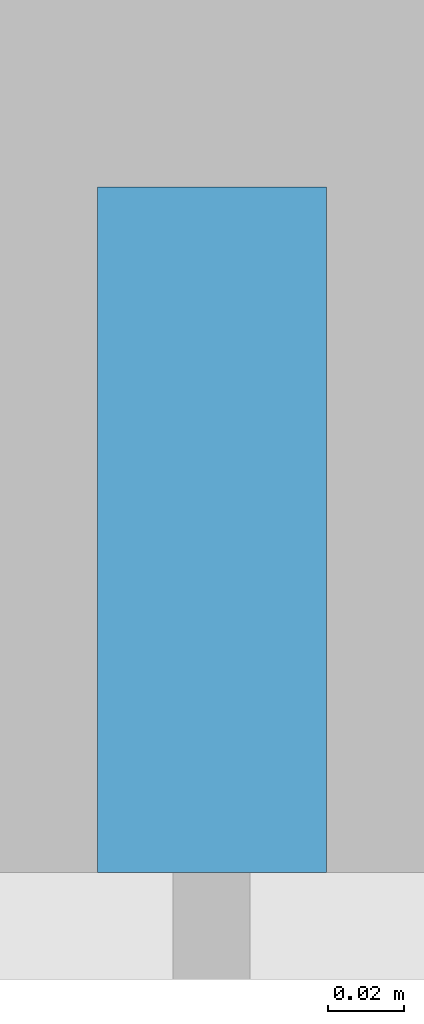
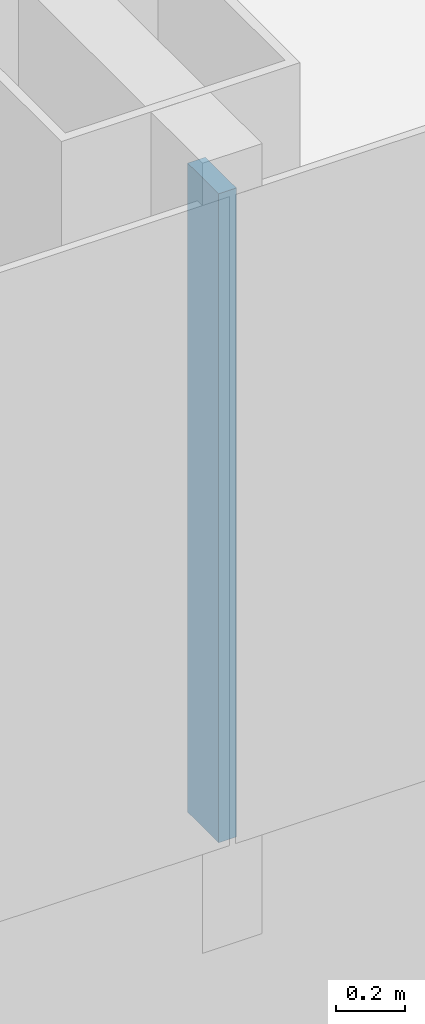
# One storey, part 4 of 29: 1 member, 1 element without a shape of its own.
"""IFC4 building model written with IfcOpenShell, lengths in metres."""

from ifc_helpers import new_model, si_unit, direction, frame, origin, origin_2d, place, context, subcontext, project, spatial, rectangle, extrude, material, layer, layer_set, material_profile, profile_set, type_object, element, aggregate, save


model = new_model("IFC4")

# Units and contexts
model_context = context("Model", 3, precision=1e-05, world=origin(), true_north=direction((0.0, 1.0)))
body_context = subcontext(model_context, "Body", "Model", "MODEL_VIEW")
ifc_project = project(units=[si_unit("LENGTHUNIT", "METRE"), si_unit("AREAUNIT", "SQUARE_METRE"), si_unit("VOLUMEUNIT", "CUBIC_METRE"), si_unit("PLANEANGLEUNIT", "RADIAN"), si_unit("MASSUNIT", "GRAM", prefix="KILO")], contexts=[model_context])

# Site, building, storey
site_placement = place(None, origin())
site = spatial("IfcSite", under=ifc_project, at=site_placement, CompositionType="ELEMENT")
building_placement = place(site_placement, origin())
building = spatial("IfcBuilding", under=site, at=building_placement, Name="Hakoniwa Tower and Hamabe Station Hall", CompositionType="ELEMENT")
storey_placement = place(building_placement, frame((0.0, 0.0, 91.39990234375)))
storey = spatial("IfcBuildingStorey", under=building, at=storey_placement, Name="L25", CompositionType="ELEMENT", Elevation=91.39990234375)

# Curtain wall, member
ifc_material_1 = material(Name="Dark low-e laminated glass", Category="glass")
ifc_layer = layer(ifc_material_1, 0.199951171875)
ifc_layer_set = layer_set([ifc_layer], Name="CW-1 UNITISED GUEST")
curtain_wall_type = type_object("IfcCurtainWallType", Name="CW-1 UNITISED GUEST", PredefinedType="NOTDEFINED", material=ifc_layer_set)
curtain_wall_placement = place(storey_placement, origin())
curtain_wall = element("IfcCurtainWall", 1, at=curtain_wall_placement, inside=storey, type_object=curtain_wall_type, Name="CW-1 curtain wall", PredefinedType="NOTDEFINED")
ifc_material_2 = material(Name="Aluminium 6063-T5 black anodised", Category="aluminium")
ifc_material_profile = material_profile(ifc_material_2, rectangle(XDim=0.06005859375, YDim=0.179931640625, at=origin_2d()), Name="CW-1 MULLION 60X180")
ifc_profile_set = profile_set([ifc_material_profile], Name="Aluminium 6063-T5 black anodised")
member_type = type_object("IfcMemberType", Name="CW-1 MULLION 60X180", PredefinedType="MULLION", material=ifc_profile_set)
member_placement = place(storey_placement, frame((-8.39990234375, -15.431884765625, 0.35009765625), z_axis=(0.0, 0.0, 1.0), x_axis=(1.0, 0.0, 0.0)))
member = element("IfcMember", 2, at=member_placement, type_object=member_type, Name="CW-1 mullion", PredefinedType="MULLION", context=body_context, shape_type="SweptSolid", body=[
    extrude(rectangle(XDim=0.06005859375, YDim=0.179931640625, at=origin_2d()), origin(), (0.0, 0.0, 1.0), 2.300048828125),
])
aggregate(curtain_wall, [member])

save(model, "model.ifc")
